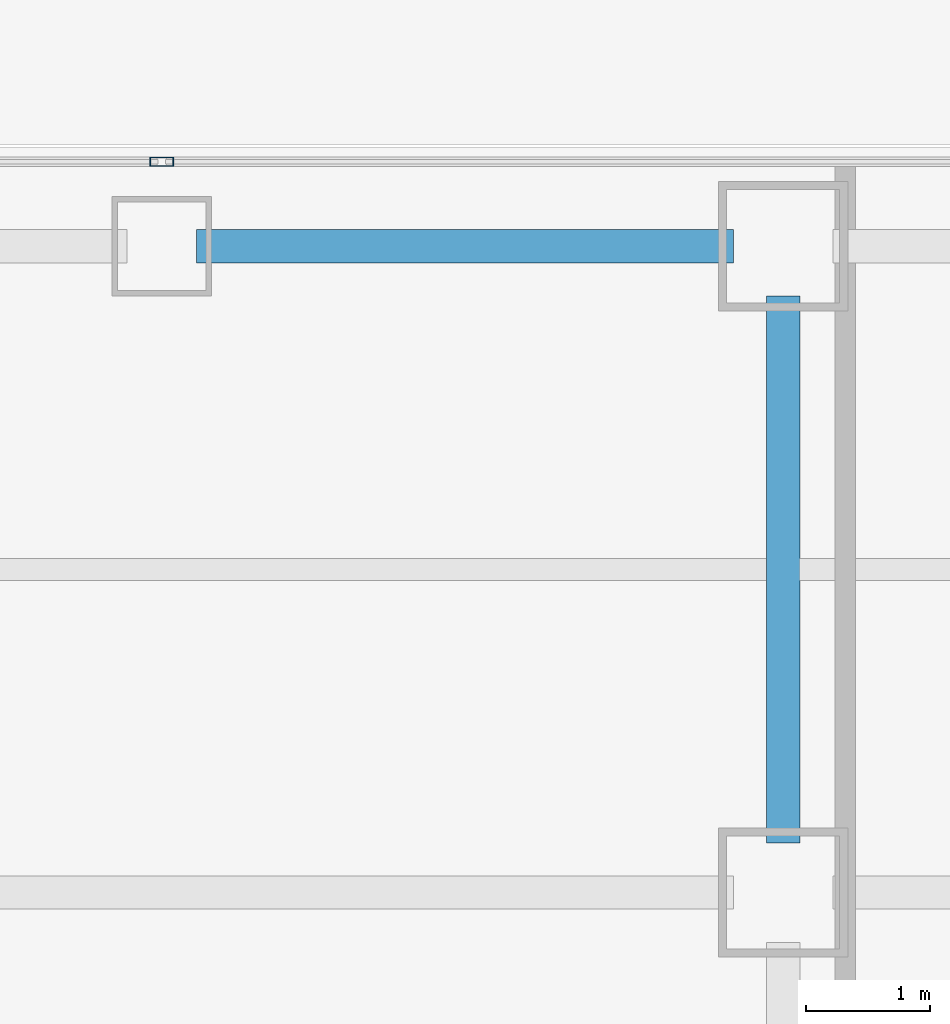
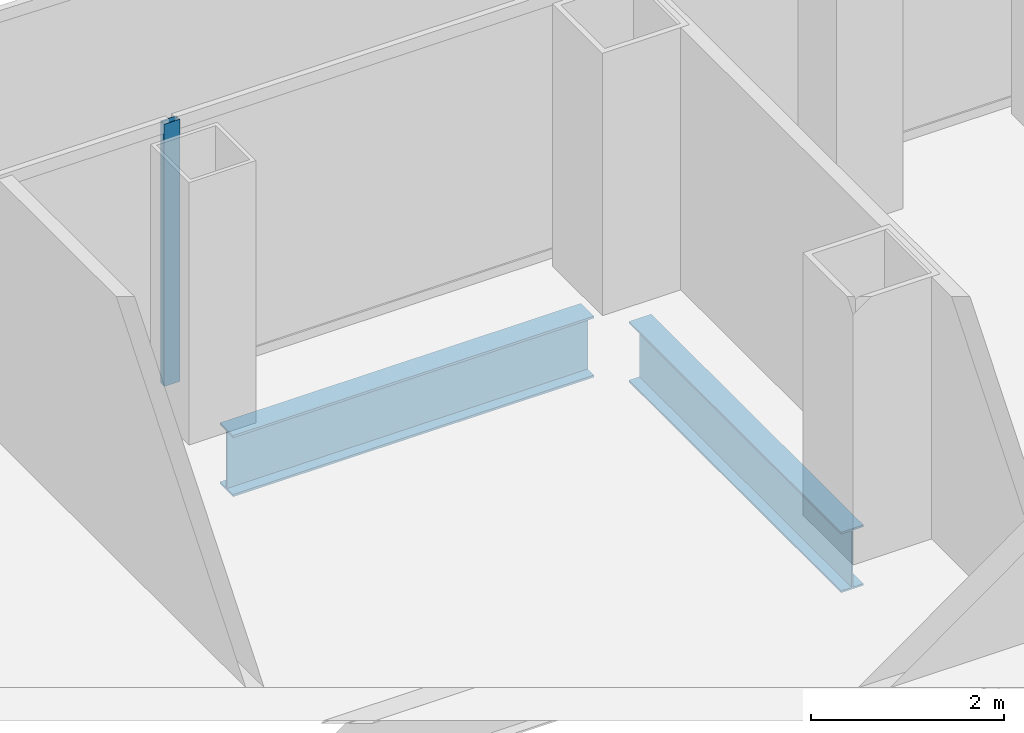
# One storey, part 13 of 22: 2 beams, 1 member, 1 element without a shape of its own.
"""IFC4 building model written with IfcOpenShell, lengths in metres."""

from ifc_helpers import new_model, si_unit, direction, frame, origin, origin_2d, place, context, subcontext, project, spatial, hollow_rectangle, i_section, extrude, source, transform, mapped, material, layer, layer_set, material_profile, profile_set, type_object, element, aggregate, save


model = new_model("IFC4")

# Units and contexts
model_context = context("Model", 3, precision=1e-05, world=origin(), true_north=direction((0.0, 1.0)))
body_context = subcontext(model_context, "Body", "Model", "MODEL_VIEW")
ifc_project = project(units=[si_unit("LENGTHUNIT", "METRE"), si_unit("AREAUNIT", "SQUARE_METRE"), si_unit("VOLUMEUNIT", "CUBIC_METRE"), si_unit("PLANEANGLEUNIT", "RADIAN"), si_unit("MASSUNIT", "GRAM", prefix="KILO")], contexts=[model_context])

# Site, building, storey
site_placement = place(None, origin())
site = spatial("IfcSite", under=ifc_project, at=site_placement, CompositionType="ELEMENT")
building_placement = place(site_placement, origin())
building = spatial("IfcBuilding", under=site, at=building_placement, Name="Kolveth Station Tower", CompositionType="ELEMENT")
storey_placement = place(building_placement, frame((0.0, 0.0, 81.0)))
storey = spatial("IfcBuildingStorey", under=building, at=storey_placement, Name="L21", CompositionType="ELEMENT", Elevation=81.0)

# Beams
ifc_material_1 = material(Name="Steel S355", Category="steel")
ifc_material_profile_1 = material_profile(ifc_material_1, i_section(OverallWidth=0.26904296875, OverallDepth=0.77490234375, WebThickness=0.01708984375, FlangeThickness=0.0283203125, at=origin_2d()), Name="W760x220")
ifc_profile_set_1 = profile_set([ifc_material_profile_1], Name="Steel S355")
beam_type_1 = type_object("IfcBeamType", Name="Beam_SP1", PredefinedType="SPANDREL", material=ifc_profile_set_1)
shared_shape_1 = source(origin(), body_context, "Body", "SweptSolid", [
    extrude(i_section(OverallWidth=0.26904296875, OverallDepth=0.77490234375, WebThickness=0.01708984375, FlangeThickness=0.0283203125, at=origin_2d()), origin(), (0.0, 0.0, 1.0), 4.320068359375),
])
beam_1_placement = place(storey_placement, frame((23.780029296875, 39.699951171875, -0.66748046875), z_axis=(1.0, 0.0, 0.0), x_axis=(0.0, 1.0, 0.0)))
element("IfcBeam", 1, at=beam_1_placement, inside=storey, type_object=beam_type_1, Name="L21 Perimeter Spandrel BM-L21-PN-6", PredefinedType="SPANDREL", context=body_context, shape_type="MappedRepresentation", body=[
    mapped(shared_shape_1, transform((0.0, 0.0, 0.0), x_axis=(1.0, 0.0, 0.0), y_axis=(0.0, 1.0, 0.0), z_axis=(0.0, 0.0, 1.0), scale=1.0)),
])
ifc_material_profile_2 = material_profile(ifc_material_1, i_section(OverallWidth=0.26708984375, OverallDepth=0.76611328125, WebThickness=0.014892578125, FlangeThickness=0.023681640625, at=origin_2d()), Name="W760x185")
ifc_profile_set_2 = profile_set([ifc_material_profile_2], Name="Steel S355")
beam_type_2 = type_object("IfcBeamType", Name="Beam_B3", PredefinedType="BEAM", material=ifc_profile_set_2)
shared_shape_2 = source(origin(), body_context, "Body", "SweptSolid", [
    extrude(i_section(OverallWidth=0.26708984375, OverallDepth=0.76611328125, WebThickness=0.014892578125, FlangeThickness=0.023681640625, at=origin_2d()), origin(), (0.0, 0.0, 1.0), 4.400146484375),
])
beam_2_placement = place(storey_placement, frame((28.5, 34.89990234375, -0.6630859375), z_axis=(0.0, 1.0, 0.0), x_axis=(-1.0, 0.0, 0.0)))
element("IfcBeam", 2, at=beam_2_placement, inside=storey, type_object=beam_type_2, Name="L21 Primary Girder BM-L21-GX285-7", PredefinedType="BEAM", context=body_context, shape_type="MappedRepresentation", body=[
    mapped(shared_shape_2, transform((0.0, 0.0, 0.0), x_axis=(1.0, 0.0, 0.0), y_axis=(0.0, 1.0, 0.0), z_axis=(0.0, 0.0, 1.0), scale=1.0)),
])

# Curtain wall, member
ifc_material_2 = material(Name="Aluminium 6063-T6 and low-E dark glass", Category="aluminium")
ifc_layer = layer(ifc_material_2, 0.179931640625)
ifc_layer_set = layer_set([ifc_layer], Name="Aluminium 6063-T6 and low-E dark glass")
curtain_wall_type = type_object("IfcCurtainWallType", Name="CurtainWall_CW-Z1", PredefinedType="NOTDEFINED", material=ifc_layer_set)
curtain_wall_placement = place(storey_placement, origin())
curtain_wall = element("IfcCurtainWall", 3, at=curtain_wall_placement, inside=storey, type_object=curtain_wall_type, Name="L21 Inner Thermal Curtain Wall 6", PredefinedType="NOTDEFINED")
ifc_material_3 = material(Name="Black anodized aluminium 6063-T6", Category="aluminium")
ifc_material_profile_3 = material_profile(ifc_material_3, hollow_rectangle(XDim=0.074951171875, YDim=0.18994140625, WallThickness=0.0048828125, at=origin_2d()), Name="ALU-75x190x5")
ifc_profile_set_3 = profile_set([ifc_material_profile_3], Name="Black anodized aluminium 6063-T6")
member_type = type_object("IfcMemberType", Name="Mullion_ML1", PredefinedType="MULLION", material=ifc_profile_set_3)
shared_shape_3 = source(origin(), body_context, "Body", "SweptSolid", [
    extrude(hollow_rectangle(XDim=0.074951171875, YDim=0.18994140625, WallThickness=0.0048828125, at=origin_2d()), origin(), (0.0, 0.0, 1.0), 3.320068359375),
])
member_placement = place(storey_placement, frame((23.5, 40.3798828125, 0.0), z_axis=(0.0, 0.0, 1.0), x_axis=(0.0, -1.0, 0.0)))
member = element("IfcMember", 4, at=member_placement, type_object=member_type, Name="CW-Z1 mullion 2", PredefinedType="MULLION", context=body_context, shape_type="MappedRepresentation", body=[
    mapped(shared_shape_3, transform((0.0, 0.0, 0.0), x_axis=(1.0, 0.0, 0.0), y_axis=(0.0, 1.0, 0.0), z_axis=(0.0, 0.0, 1.0), scale=1.0)),
])
aggregate(curtain_wall, [member])

save(model, "model.ifc")
